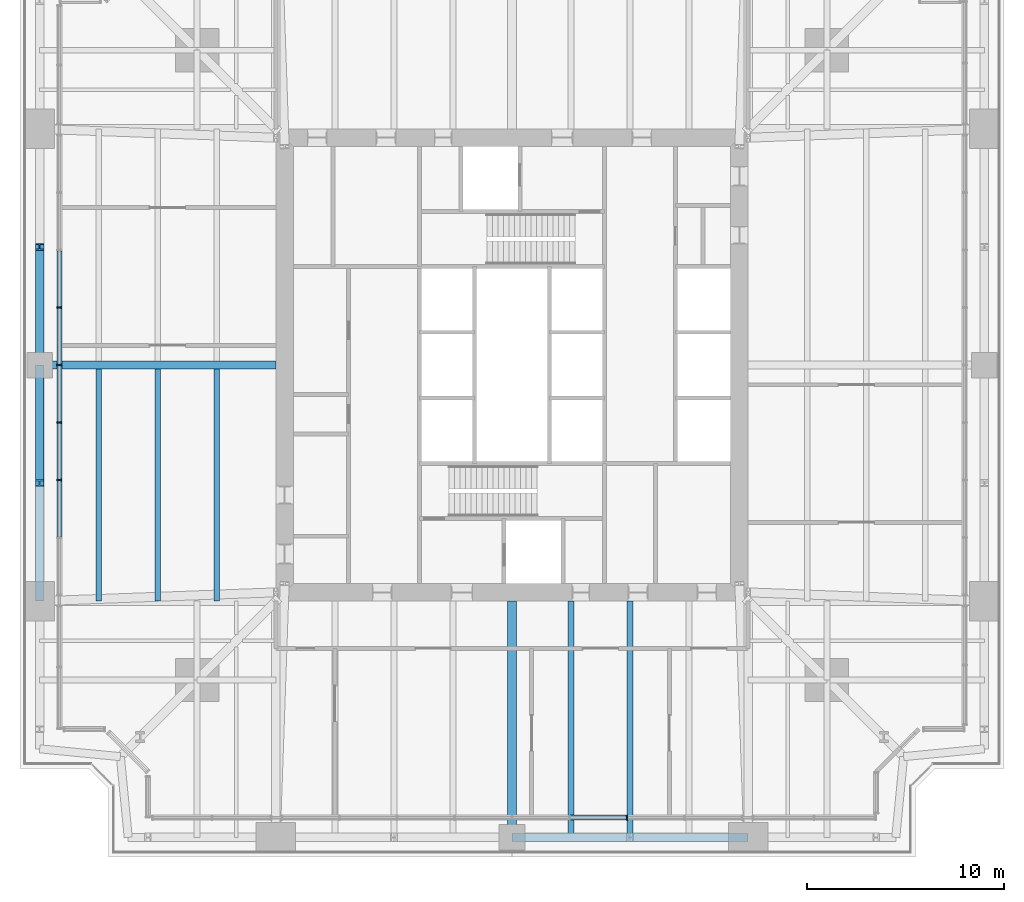
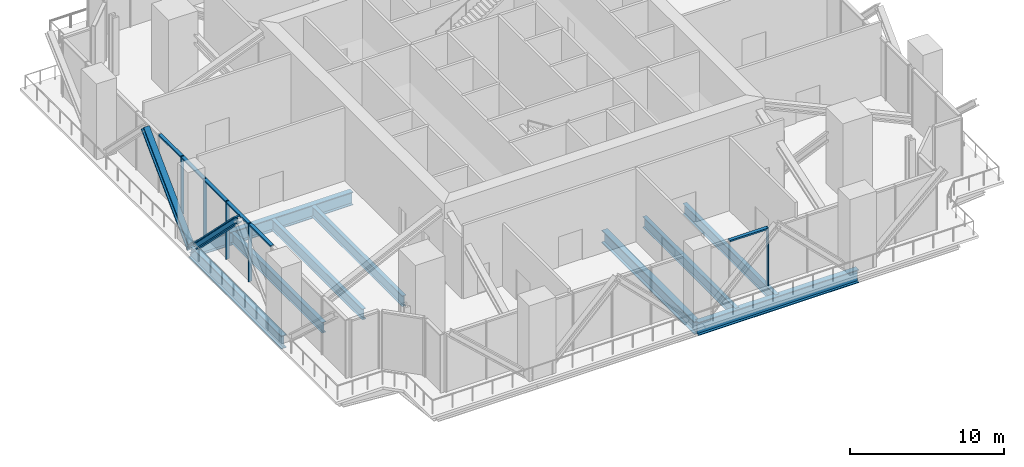
# One storey, part 3 of 14: 13 members, 9 beams, 2 elements without a shape of their own.
"""IFC4 building model written with IfcOpenShell, lengths in metres."""

import ifcopenshell
import ifcopenshell.guid

model = None  # the IFC model being written
_history = None  # IfcOwnerHistory: only IFC2X3 demands one
_inside = {}  # id of a spatial element -> (the spatial element, [elements in it])
_under = {}  # id of a project, library or spatial element -> (it, [spatial elements below it])
_declared = {}  # id of a project -> (the project, [libraries it declares])
_typed = {}  # id of a type object -> (the type object, [elements of that type])
_made_of = {}  # id of a material, layer set ... -> (it, [elements and type objects made of it])


def new_model(schema):
    """Start an empty IFC model of exactly this schema.

    Asked for "IFC4X3", IfcOpenShell would pick the latest addendum, in which some entities
    have other attributes; the version numbers below select the first issue.
    IFC2X3 requires an IfcOwnerHistory on every rooted entity: one is made here for all.
    """
    global model, _history
    if schema == "IFC4X3":
        model = ifcopenshell.file(schema_version=(4, 3, 0, 0))
    else:
        model = ifcopenshell.file(schema=schema)
    _inside.clear()
    _under.clear()
    _declared.clear()
    _typed.clear()
    _made_of.clear()
    _history = None
    if model.schema == "IFC2X3":
        org = make("IfcOrganization", Name="unknown")
        user = make(
            "IfcPersonAndOrganization",
            ThePerson=make("IfcPerson", FamilyName="unknown"),
            TheOrganization=org,
        )
        app = make(
            "IfcApplication",
            ApplicationDeveloper=org,
            Version="unknown",
            ApplicationFullName="unknown",
            ApplicationIdentifier="unknown",
        )
        _history = make(
            "IfcOwnerHistory",
            OwningUser=user,
            OwningApplication=app,
            ChangeAction="ADDED",
            CreationDate=0,
        )
    return model


def make(cls, **values):
    """One entity of the class cls with the attributes given. An attribute that is None is left unset."""
    return model.create_entity(
        cls, **{name: value for name, value in values.items() if value is not None}
    )


def rooted(cls, **values):
    """An entity with a GlobalId (a new one), such as an element, a storey or a relation."""
    return make(cls, GlobalId=ifcopenshell.guid.new(), OwnerHistory=_history, **values)


def si_unit(unit_type, name, prefix=None):
    """IfcSIUnit, for example si_unit("LENGTHUNIT", "METRE", prefix="MILLI")."""
    return make("IfcSIUnit", UnitType=unit_type, Prefix=prefix, Name=name)


def assignment(units):
    """IfcUnitAssignment: the units of a project."""
    return None if units is None else make("IfcUnitAssignment", Units=units)


def point(xyz):
    """IfcCartesianPoint."""
    return None if xyz is None else make("IfcCartesianPoint", Coordinates=xyz)


def direction(xyz):
    """IfcDirection."""
    return None if xyz is None else make("IfcDirection", DirectionRatios=xyz)


def frame(location, z_axis=None, x_axis=None):
    """IfcAxis2Placement3D, a coordinate frame: its origin and axes. An axis left out is left unset."""
    return make(
        "IfcAxis2Placement3D",
        Location=point(location),
        Axis=direction(z_axis),
        RefDirection=direction(x_axis),
    )


def frame_2d(location, x_axis=None):
    """IfcAxis2Placement2D, a coordinate frame in the plane: its origin and x axis."""
    return make(
        "IfcAxis2Placement2D", Location=point(location), RefDirection=direction(x_axis)
    )


def origin():
    """The frame at (0, 0, 0) with its axes left unset."""
    return frame((0.0, 0.0, 0.0))


def origin_2d():
    """The frame at (0, 0) in the plane with its x axis left unset."""
    return frame_2d((0.0, 0.0))


def place(relative_to, where):
    """IfcLocalPlacement: puts the frame where relative to a parent placement (None: the world)."""
    return make(
        "IfcLocalPlacement", PlacementRelTo=relative_to, RelativePlacement=where
    )


def context(
    kind, dimensions, precision=None, world=None, true_north=None, identifier=None
):
    """IfcGeometricRepresentationContext, for example the 3D "Model" context."""
    return make(
        "IfcGeometricRepresentationContext",
        ContextIdentifier=identifier,
        ContextType=kind,
        CoordinateSpaceDimension=dimensions,
        Precision=precision,
        WorldCoordinateSystem=world,
        TrueNorth=true_north,
    )


def subcontext(parent, identifier, kind, view, scale=None):
    """IfcGeometricRepresentationSubContext, for example "Body" below "Model"."""
    return make(
        "IfcGeometricRepresentationSubContext",
        ContextIdentifier=identifier,
        ContextType=kind,
        ParentContext=parent,
        TargetScale=scale,
        TargetView=view,
    )


def project(units=None, contexts=None):
    """IfcProject with its units and contexts."""
    return rooted(
        "IfcProject",
        Name="project",
        RepresentationContexts=contexts,
        UnitsInContext=assignment(units),
    )


def spatial(cls, under=None, at=None, **own):
    """A site, building, storey or space (cls), placed at a placement, below another one or the project."""
    s = rooted(cls, ObjectPlacement=at, **own)
    if under is not None:
        _under.setdefault(under.id(), (under, []))[1].append(s)
    return s


def profile(cls, at=None, kind="AREA", **sizes):
    """A parametric profile (cls). Its sizes go by their IFC names, for example OverallWidth=200.0."""
    return make(cls, ProfileType=kind, Position=at, **sizes)


def rectangle(**sizes):
    """IfcRectangleProfileDef."""
    return profile("IfcRectangleProfileDef", **sizes)


def i_section(**sizes):
    """IfcIShapeProfileDef."""
    return profile("IfcIShapeProfileDef", **sizes)


def extrude(swept, where, along, depth):
    """IfcExtrudedAreaSolid: the profile swept, set in the frame where, extruded along a direction by depth."""
    return make(
        "IfcExtrudedAreaSolid",
        SweptArea=swept,
        Position=where,
        ExtrudedDirection=direction(along),
        Depth=depth,
    )


def shape(context_of_items, identifier, shape_type, items):
    """IfcShapeRepresentation: the items that make up one representation, for example the "Body"."""
    return make(
        "IfcShapeRepresentation",
        ContextOfItems=context_of_items,
        RepresentationIdentifier=identifier,
        RepresentationType=shape_type,
        Items=items,
    )


def material(Name=None, Category=None):
    """IfcMaterial."""
    return make("IfcMaterial", Name=Name, Category=Category)


def material_profile(
    of_material, cross_section, Name=None, Category=None, Priority=None
):
    """IfcMaterialProfile: a cross section and its material."""
    return make(
        "IfcMaterialProfile",
        Name=Name,
        Material=of_material,
        Profile=cross_section,
        Priority=Priority,
        Category=Category,
    )


def profile_set(profiles, Name=None, composite=None):
    """IfcMaterialProfileSet."""
    return make(
        "IfcMaterialProfileSet",
        Name=Name,
        MaterialProfiles=profiles,
        CompositeProfile=composite,
    )


def made_of(thing, what):
    """Note that an element or type object is made of a material, layer set ...; save() writes the relation."""
    if what is not None:
        _made_of.setdefault(what.id(), (what, []))[1].append(thing)
    return thing


def type_object(cls, material=None, **own):
    """A type object (cls), such as IfcWallType, which elements share."""
    return made_of(rooted(cls, **own), material)


def element(
    cls,
    number,
    at=None,
    inside=None,
    cuts=None,
    type_object=None,
    material=None,
    context=None,
    identifier="Body",
    shape_type=None,
    held_by="IfcProductDefinitionShape",
    body=None,
    shapes=None,
    **own,
):
    """One element of the class cls, such as IfcWall. Its Tag is "e" and its number.

    at: its placement. inside: the storey or other place that contains it. cuts: it is an
    opening in that element (IfcRelVoidsElement). A single representation is given by context,
    identifier, shape_type and body (its items); several are given by shapes. held_by: the class
    of the entity that holds the representations. save() writes the other relations.
    """
    e = rooted(cls, Tag="e%d" % number, ObjectPlacement=at, **own)
    if body is not None:
        shapes = [shape(context, identifier, shape_type, body)]
    if shapes is not None:
        e.Representation = make(held_by, Representations=shapes)
    if inside is not None:
        _inside.setdefault(inside.id(), (inside, []))[1].append(e)
    if cuts is not None:
        rooted(
            "IfcRelVoidsElement", RelatingBuildingElement=cuts, RelatedOpeningElement=e
        )
    if type_object is not None:
        _typed.setdefault(type_object.id(), (type_object, []))[1].append(e)
    return made_of(e, material)


def aggregate(whole, parts):
    """IfcRelAggregates: a whole, such as a stair, and the parts it consists of."""
    return rooted("IfcRelAggregates", RelatingObject=whole, RelatedObjects=parts)


def save(model, path):
    """Write the relations noted so far, then the file.

    IfcRelAggregates (storeys below a building ...), IfcRelContainedInSpatialStructure (elements
    in a storey), IfcRelDefinesByType, IfcRelAssociatesMaterial and IfcRelDeclares: one each for
    every whole, place, type object, material and project.
    """
    for whole, parts in _under.values():
        aggregate(whole, parts)
    for where, things in _inside.values():
        rooted(
            "IfcRelContainedInSpatialStructure",
            RelatedElements=things,
            RelatingStructure=where,
        )
    for kind, things in _typed.values():
        rooted("IfcRelDefinesByType", RelatedObjects=things, RelatingType=kind)
    for what, things in _made_of.values():
        rooted("IfcRelAssociatesMaterial", RelatedObjects=things, RelatingMaterial=what)
    for by, libraries in _declared.values():
        rooted("IfcRelDeclares", RelatingContext=by, RelatedDefinitions=libraries)
    model.write(path)


model = new_model("IFC4")

# Units and contexts
model_context = context("Model", 3, precision=1e-05, world=origin(), true_north=direction((0.0, 1.0)))
body_context = subcontext(model_context, "Body", "Model", "MODEL_VIEW")
ifc_project = project(units=[si_unit("LENGTHUNIT", "METRE"), si_unit("AREAUNIT", "SQUARE_METRE"), si_unit("VOLUMEUNIT", "CUBIC_METRE"), si_unit("PLANEANGLEUNIT", "RADIAN"), si_unit("MASSUNIT", "GRAM", prefix="KILO")], contexts=[model_context])

# Site, building, storey
site_placement = place(None, origin())
site = spatial("IfcSite", under=ifc_project, at=site_placement, CompositionType="ELEMENT")
building_placement = place(site_placement, origin())
building = spatial("IfcBuilding", under=site, at=building_placement, Name="Fenwick Lantern Interchange", CompositionType="ELEMENT")
storey_placement = place(building_placement, frame((0.0, 0.0, 162.39990234375)))
storey = spatial("IfcBuildingStorey", under=building, at=storey_placement, Name="L38", CompositionType="ELEMENT", Elevation=162.39990234375)

# Members
ifc_material_1 = material(Name="Steel ASTM A992 Grade 50", Category="steel")
ifc_material_profile_1 = material_profile(ifc_material_1, i_section(OverallWidth=0.431884765625, OverallDepth=0.497802734375, WebThickness=0.0556640625, FlangeThickness=0.0888671875, at=origin_2d()), Name="W14X500")
ifc_profile_set_1 = profile_set([ifc_material_profile_1], Name="Steel ASTM A992 Grade 50")
member_type_1 = type_object("IfcMemberType", Name="BELT TRUSS DIAGONAL W14X500", PredefinedType="BRACE", material=ifc_profile_set_1)
for number, where, z_axis, x_axis, name in (
    (1, (1.0, 25.0, -0.64990234375), (0.0, 0.707106781187, 0.707106781187), (-1.0, 0.0, 0.0), "L38/BT/W/D3"),
    (2, (1.0, 25.0, -0.64990234375), (0.0, -0.707106781187, 0.707106781187), (1.0, 0.0, 0.0), "L38/BT/W/D4"),
):
    element("IfcMember", number, at=place(storey_placement, frame(where, z_axis=z_axis, x_axis=x_axis)), inside=storey, type_object=member_type_1, Name=name, PredefinedType="BRACE", context=body_context, shape_type="SweptSolid", body=[
        extrude(i_section(OverallWidth=0.431884765625, OverallDepth=0.497802734375, WebThickness=0.0556640625, FlangeThickness=0.0888671875, at=origin_2d()), origin(), (0.0, 0.0, 1.0), 8.4853515625),
    ])

# Beams
ifc_material_profile_2 = material_profile(ifc_material_1, i_section(OverallWidth=0.408935546875, OverallDepth=1.04150390625, WebThickness=0.031005859375, FlangeThickness=0.055908203125, at=origin_2d()), Name="W40X397")
ifc_profile_set_2 = profile_set([ifc_material_profile_2], Name="Steel ASTM A992 Grade 50")
beam_type_1 = type_object("IfcBeamType", Name="EDGE BEAM W40X397", PredefinedType="SPANDREL", material=ifc_profile_set_2)
for number, where, z_axis, x_axis, name in (
    (3, (25.0, 1.0, -0.720703125), (1.0, 0.0, 0.0), (0.0, 1.0, 0.0), "L38/FR/S/EB3"),
    (4, (1.0, 25.0, -0.720703125), (0.0, -1.0, 0.0), (1.0, 0.0, 0.0), "L38/FR/W/EB3"),
):
    element("IfcBeam", number, at=place(storey_placement, frame(where, z_axis=z_axis, x_axis=x_axis)), inside=storey, type_object=beam_type_1, Name=name, PredefinedType="SPANDREL", context=body_context, shape_type="SweptSolid", body=[
        extrude(i_section(OverallWidth=0.408935546875, OverallDepth=1.04150390625, WebThickness=0.031005859375, FlangeThickness=0.055908203125, at=origin_2d()), origin(), (0.0, 0.0, 1.0), 12.0),
    ])
ifc_material_profile_3 = material_profile(ifc_material_1, i_section(OverallWidth=0.2919921875, OverallDepth=0.845703125, WebThickness=0.015380859375, FlangeThickness=0.0244140625, at=origin_2d()), Name="W33X141")
ifc_profile_set_3 = profile_set([ifc_material_profile_3], Name="Steel ASTM A992 Grade 50")
beam_type_2 = type_object("IfcBeamType", Name="FLOOR BEAM W33X141", PredefinedType="BEAM", material=ifc_profile_set_3)
for number, where, z_axis, x_axis, name in (
    (5, (28.0, 1.0, -0.622802734375), (0.0, 1.0, 0.0), (-1.0, 0.0, 0.0), "L38/FR/S/R06"),
    (6, (31.0, 1.0, -0.622802734375), (0.0, 1.0, 0.0), (-1.0, 0.0, 0.0), "L38/FR/S/R07"),
):
    element("IfcBeam", number, at=place(storey_placement, frame(where, z_axis=z_axis, x_axis=x_axis)), inside=storey, type_object=beam_type_2, Name=name, PredefinedType="BEAM", context=body_context, shape_type="SweptSolid", body=[
        extrude(i_section(OverallWidth=0.2919921875, OverallDepth=0.845703125, WebThickness=0.015380859375, FlangeThickness=0.0244140625, at=origin_2d()), origin(), (0.0, 0.0, 1.0), 12.0),
    ])
for number, where, z_axis, x_axis, name in (
    (7, (4.0, 24.79541015625, -0.622802734375), (0.0, -1.0, 0.0), (1.0, 0.0, 0.0), "L38/FR/W/B04"),
    (8, (7.0, 24.79541015625, -0.622802734375), (0.0, -1.0, 0.0), (1.0, 0.0, 0.0), "L38/FR/W/B05"),
    (9, (10.0, 24.79541015625, -0.622802734375), (0.0, -1.0, 0.0), (1.0, 0.0, 0.0), "L38/FR/W/B06"),
):
    element("IfcBeam", number, at=place(storey_placement, frame(where, z_axis=z_axis, x_axis=x_axis)), inside=storey, type_object=beam_type_2, Name=name, PredefinedType="BEAM", context=body_context, shape_type="SweptSolid", body=[
        extrude(i_section(OverallWidth=0.2919921875, OverallDepth=0.845703125, WebThickness=0.015380859375, FlangeThickness=0.0244140625, at=origin_2d()), origin(), (0.0, 0.0, 1.0), 11.79541015625),
    ])
ifc_material_profile_4 = material_profile(ifc_material_1, i_section(OverallWidth=0.434326171875, OverallDepth=0.9931640625, WebThickness=0.0380859375, FlangeThickness=0.06396484375, at=origin_2d()), Name="W36X487")
ifc_profile_set_4 = profile_set([ifc_material_profile_4], Name="Steel ASTM A992 Grade 50")
beam_type_3 = type_object("IfcBeamType", Name="MOMENT-CONNECTED GIRDER W36X487", PredefinedType="BEAM", material=ifc_profile_set_4)
beam_1_placement = place(storey_placement, frame((25.0, 1.0, -0.696533203125), z_axis=(0.0, 1.0, 0.0), x_axis=(-1.0, 0.0, 0.0)))
element("IfcBeam", 10, at=beam_1_placement, inside=storey, type_object=beam_type_3, Name="L38/FR/S/R05", PredefinedType="BEAM", context=body_context, shape_type="SweptSolid", body=[
    extrude(i_section(OverallWidth=0.434326171875, OverallDepth=0.9931640625, WebThickness=0.0380859375, FlangeThickness=0.06396484375, at=origin_2d()), origin(), (0.0, 0.0, 1.0), 12.0),
])
ifc_material_profile_5 = material_profile(ifc_material_1, i_section(OverallWidth=0.408935546875, OverallDepth=1.04150390625, WebThickness=0.031005859375, FlangeThickness=0.055908203125, at=origin_2d()), Name="W40X397")
ifc_profile_set_5 = profile_set([ifc_material_profile_5], Name="Steel ASTM A992 Grade 50")
beam_type_4 = type_object("IfcBeamType", Name="MOMENT-CONNECTED GIRDER W40X397", PredefinedType="BEAM", material=ifc_profile_set_5)
beam_2_placement = place(storey_placement, frame((1.0, 25.0, -0.720703125), z_axis=(1.0, 0.0, 0.0), x_axis=(0.0, 1.0, 0.0)))
element("IfcBeam", 11, at=beam_2_placement, inside=storey, type_object=beam_type_4, Name="L38/FR/W/R02", PredefinedType="BEAM", context=body_context, shape_type="SweptSolid", body=[
    extrude(i_section(OverallWidth=0.408935546875, OverallDepth=1.04150390625, WebThickness=0.031005859375, FlangeThickness=0.055908203125, at=origin_2d()), origin(), (0.0, 0.0, 1.0), 12.0),
])

# Curtain wall, members
ifc_material_2 = material(Name="Aluminium curtain wall frame", Category="aluminium")
curtain_wall_type = type_object("IfcCurtainWallType", Name="PLANT LOUVRE SCREEN", PredefinedType="USERDEFINED", material=ifc_material_2)
curtain_wall_1_placement = place(storey_placement, origin())
curtain_wall_1 = element("IfcCurtainWall", 12, at=curtain_wall_1_placement, inside=storey, type_object=curtain_wall_type, Name="Plant louvre screen 12B", ObjectType="PLANT LOUVRE SCREEN", PredefinedType="USERDEFINED")
ifc_material_3 = material(Name="Aluminium extrusion", Category="aluminium")
ifc_material_profile_6 = material_profile(ifc_material_3, rectangle(XDim=0.25, YDim=0.074951171875, at=origin_2d()), Name="PLANT LOUVRE SCREEN MULLION 75 X 250")
ifc_profile_set_6 = profile_set([ifc_material_profile_6], Name="Aluminium extrusion")
member_type_2 = type_object("IfcMemberType", Name="PLANT LOUVRE SCREEN MULLION 75 X 250", PredefinedType="MULLION", material=ifc_profile_set_6)
member_1_placement = place(storey_placement, frame((2.0, 27.920654296875, 0.0), z_axis=(0.0, 0.0, 1.0), x_axis=(1.0, 0.0, 0.0)))
member_1 = element("IfcMember", 13, at=member_1_placement, type_object=member_type_2, Name="L38/CW/12B/M03", PredefinedType="MULLION", context=body_context, shape_type="SweptSolid", body=[
    extrude(rectangle(XDim=0.25, YDim=0.074951171875, at=origin_2d()), origin(), (0.0, 0.0, 1.0), 4.60009765625),
])
member_2_placement = place(storey_placement, frame((2.0, 25.0, 0.0), z_axis=(0.0, 0.0, 1.0), x_axis=(1.0, 0.0, 0.0)))
member_2 = element("IfcMember", 14, at=member_2_placement, type_object=member_type_2, Name="L38/CW/12B/M04", PredefinedType="MULLION", context=body_context, shape_type="SweptSolid", body=[
    extrude(rectangle(XDim=0.25, YDim=0.074951171875, at=origin_2d()), origin(), (0.0, 0.0, 1.0), 4.60009765625),
])
member_3_placement = place(storey_placement, frame((2.0, 22.079345703125, 0.0), z_axis=(0.0, 0.0, 1.0), x_axis=(1.0, 0.0, 0.0)))
member_3 = element("IfcMember", 15, at=member_3_placement, type_object=member_type_2, Name="L38/CW/12B/M05", PredefinedType="MULLION", context=body_context, shape_type="SweptSolid", body=[
    extrude(rectangle(XDim=0.25, YDim=0.074951171875, at=origin_2d()), origin(), (0.0, 0.0, 1.0), 4.60009765625),
])
member_4_placement = place(storey_placement, frame((2.0, 19.15869140625, 0.0), z_axis=(0.0, 0.0, 1.0), x_axis=(1.0, 0.0, 0.0)))
member_4 = element("IfcMember", 16, at=member_4_placement, type_object=member_type_2, Name="L38/CW/12B/M06", PredefinedType="MULLION", context=body_context, shape_type="SweptSolid", body=[
    extrude(rectangle(XDim=0.25, YDim=0.074951171875, at=origin_2d()), origin(), (0.0, 0.0, 1.0), 4.60009765625),
])

# Curtain wall, member
curtain_wall_2_placement = place(storey_placement, origin())
curtain_wall_2 = element("IfcCurtainWall", 17, at=curtain_wall_2_placement, inside=storey, type_object=curtain_wall_type, Name="Plant louvre screen 16B", ObjectType="PLANT LOUVRE SCREEN", PredefinedType="USERDEFINED")
member_5_placement = place(storey_placement, frame((30.8427734375, 2.0, 0.0), z_axis=(0.0, 0.0, 1.0), x_axis=(0.0, 1.0, 0.0)))
member_5 = element("IfcMember", 18, at=member_5_placement, type_object=member_type_2, Name="L38/CW/16B/M06", PredefinedType="MULLION", context=body_context, shape_type="SweptSolid", body=[
    extrude(rectangle(XDim=0.25, YDim=0.074951171875, at=origin_2d()), origin(), (0.0, 0.0, 1.0), 4.60009765625),
])

# Member
ifc_material_profile_7 = material_profile(ifc_material_3, rectangle(XDim=0.25, YDim=0.1201171875, at=origin_2d()), Name="PLANT LOUVRE SCREEN TRANSOM 120 X 250")
ifc_profile_set_7 = profile_set([ifc_material_profile_7], Name="Aluminium extrusion")
member_type_3 = type_object("IfcMemberType", Name="PLANT LOUVRE SCREEN TRANSOM 120 X 250", PredefinedType="MULLION", material=ifc_profile_set_7)
member_6_placement = place(storey_placement, frame((2.0, 30.803955078125, 4.5400390625), z_axis=(0.0, -1.0, 0.0), x_axis=(1.0, 0.0, 0.0)))
member_6 = element("IfcMember", 19, at=member_6_placement, type_object=member_type_3, Name="L38/CW/12B/T02", PredefinedType="MULLION", context=body_context, shape_type="SweptSolid", body=[
    extrude(rectangle(XDim=0.25, YDim=0.1201171875, at=origin_2d()), origin(), (0.0, 0.0, 1.0), 2.845703125),
])

member_7_placement = place(storey_placement, frame((2.0, 27.88330078125, 4.5400390625), z_axis=(0.0, -1.0, 0.0), x_axis=(1.0, 0.0, 0.0)))
member_7 = element("IfcMember", 20, at=member_7_placement, type_object=member_type_3, Name="L38/CW/12B/T03", PredefinedType="MULLION", context=body_context, shape_type="SweptSolid", body=[
    extrude(rectangle(XDim=0.25, YDim=0.1201171875, at=origin_2d()), origin(), (0.0, 0.0, 1.0), 2.845703125),
])

member_8_placement = place(storey_placement, frame((2.0, 24.96240234375, 4.5400390625), z_axis=(0.0, -1.0, 0.0), x_axis=(1.0, 0.0, 0.0)))
member_8 = element("IfcMember", 21, at=member_8_placement, type_object=member_type_3, Name="L38/CW/12B/T04", PredefinedType="MULLION", context=body_context, shape_type="SweptSolid", body=[
    extrude(rectangle(XDim=0.25, YDim=0.1201171875, at=origin_2d()), origin(), (0.0, 0.0, 1.0), 2.845703125),
])

member_9_placement = place(storey_placement, frame((2.0, 22.041748046875, 4.5400390625), z_axis=(0.0, -1.0, 0.0), x_axis=(1.0, 0.0, 0.0)))
member_9 = element("IfcMember", 22, at=member_9_placement, type_object=member_type_3, Name="L38/CW/12B/T05", PredefinedType="MULLION", context=body_context, shape_type="SweptSolid", body=[
    extrude(rectangle(XDim=0.25, YDim=0.1201171875, at=origin_2d()), origin(), (0.0, 0.0, 1.0), 2.845703125),
])

member_10_placement = place(storey_placement, frame((2.0, 19.12109375, 4.5400390625), z_axis=(0.0, -1.0, 0.0), x_axis=(1.0, 0.0, 0.0)))
member_10 = element("IfcMember", 23, at=member_10_placement, type_object=member_type_3, Name="L38/CW/12B/T06", PredefinedType="MULLION", context=body_context, shape_type="SweptSolid", body=[
    extrude(rectangle(XDim=0.25, YDim=0.1201171875, at=origin_2d()), origin(), (0.0, 0.0, 1.0), 2.845703125),
])

aggregate(curtain_wall_1, [member_1, member_2, member_3, member_4, member_6, member_7, member_8, member_9, member_10])

member_11_placement = place(storey_placement, frame((27.958984375, 2.0, 4.5400390625), z_axis=(1.0, 0.0, 0.0), x_axis=(0.0, 1.0, 0.0)))
member_11 = element("IfcMember", 24, at=member_11_placement, type_object=member_type_3, Name="L38/CW/16B/T05", PredefinedType="MULLION", context=body_context, shape_type="SweptSolid", body=[
    extrude(rectangle(XDim=0.25, YDim=0.1201171875, at=origin_2d()), origin(), (0.0, 0.0, 1.0), 2.846435546875),
])

aggregate(curtain_wall_2, [member_5, member_11])

save(model, "model.ifc")
